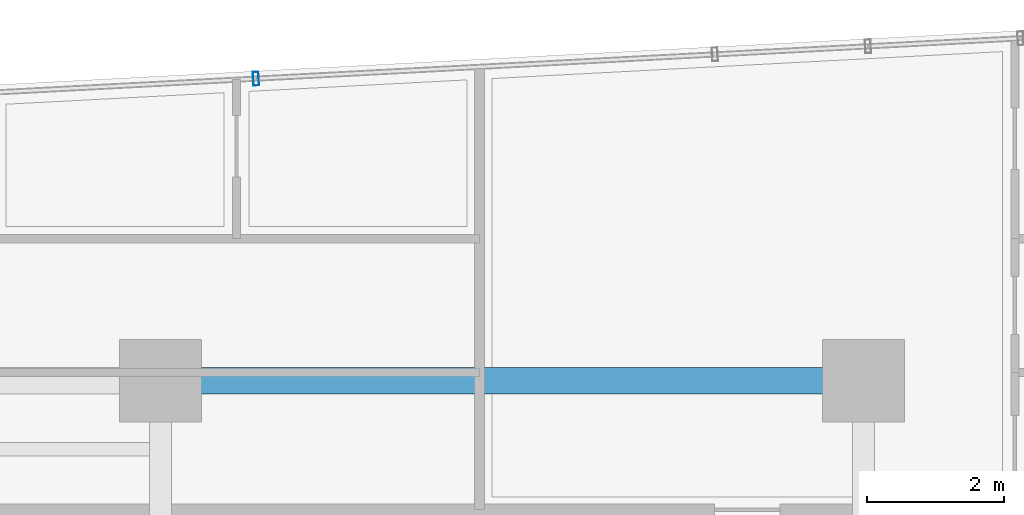
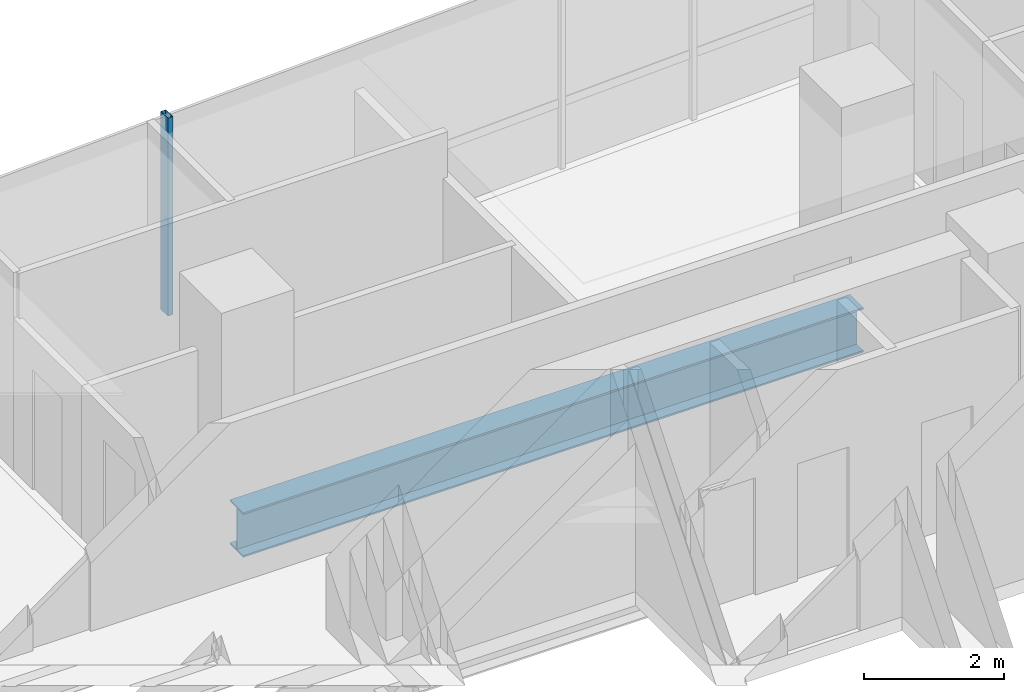
# One storey, part 20 of 34: 1 beam, 1 member, 1 element without a shape of its own.
"""IFC4 building model written with IfcOpenShell, lengths in metres."""

from ifc_helpers import new_model, si_unit, direction, frame, origin, origin_2d, place, context, subcontext, project, spatial, hollow_rectangle, i_section, extrude, source, transform, mapped, material, material_profile, profile_set, type_object, element, aggregate, save


model = new_model("IFC4")

# Units and contexts
model_context = context("Model", 3, precision=1e-05, world=origin(), true_north=direction((0.0, 1.0)))
body_context = subcontext(model_context, "Body", "Model", "MODEL_VIEW")
ifc_project = project(units=[si_unit("LENGTHUNIT", "METRE"), si_unit("AREAUNIT", "SQUARE_METRE"), si_unit("VOLUMEUNIT", "CUBIC_METRE"), si_unit("PLANEANGLEUNIT", "RADIAN"), si_unit("MASSUNIT", "GRAM", prefix="KILO")], contexts=[model_context])

# Site, building, storey
site_placement = place(None, origin())
site = spatial("IfcSite", under=ifc_project, at=site_placement, CompositionType="ELEMENT")
building_placement = place(site_placement, origin())
building = spatial("IfcBuilding", under=site, at=building_placement, Name="Valdorenza Pilgrim Sanctuary Tower", CompositionType="ELEMENT")
storey_placement = place(building_placement, frame((0.0, 0.0, 161.199951171875)))
storey = spatial("IfcBuildingStorey", under=building, at=storey_placement, Name="L41", CompositionType="ELEMENT", Elevation=161.199951171875)

# Beam
ifc_material_1 = material(Name="Steel ASTM A992 Grade 50", Category="steel")
ifc_material_profile_1 = material_profile(ifc_material_1, i_section(OverallWidth=0.382080078125, OverallDepth=0.779052734375, WebThickness=0.01806640625, FlangeThickness=0.030029296875, at=origin_2d()), Name="W30X191")
ifc_profile_set_1 = profile_set([ifc_material_profile_1], Name="Steel ASTM A992 Grade 50")
beam_type = type_object("IfcBeamType", Name="STR-BM-GRD-W30", PredefinedType="BEAM", material=ifc_profile_set_1)
shared_shape_1 = source(origin(), body_context, "Body", "SweptSolid", [
    extrude(i_section(OverallWidth=0.382080078125, OverallDepth=0.779052734375, WebThickness=0.01806640625, FlangeThickness=0.030029296875, at=origin_2d()), origin(), (0.0, 0.0, 1.0), 10.25),
])
beam_placement = place(storey_placement, frame((-22.64990234375, 14.800048828125, -0.62939453125), z_axis=(1.0, 0.0, 0.0), x_axis=(0.0, 1.0, 0.0)))
element("IfcBeam", 1, at=beam_placement, inside=storey, type_object=beam_type, Name="L41 Floor Girder CA-XC-N2", PredefinedType="BEAM", context=body_context, shape_type="MappedRepresentation", body=[
    mapped(shared_shape_1, transform((0.0, 0.0, 0.0), x_axis=(1.0, 0.0, 0.0), y_axis=(0.0, 1.0, 0.0), z_axis=(0.0, 0.0, 1.0), scale=1.0)),
])

# Curtain wall, member
ifc_material_2 = material(Name="Curtain-wall IGU glazing", Category="glass")
curtain_wall_type = type_object("IfcCurtainWallType", Name="CW-SYS-02", PredefinedType="NOTDEFINED", material=ifc_material_2)
curtain_wall_placement = place(storey_placement, origin())
curtain_wall = element("IfcCurtainWall", 2, at=curtain_wall_placement, inside=storey, type_object=curtain_wall_type, Name="L41 Curtain Wall CW-L41-1-6", PredefinedType="NOTDEFINED")
ifc_material_3 = material(Name="Anodised aluminium AW-6060", Category="aluminium")
ifc_material_profile_2 = material_profile(ifc_material_3, hollow_rectangle(XDim=0.0849609375, YDim=0.199951171875, WallThickness=0.0048828125, at=origin_2d()), Name="ALU-M 200x85x5")
ifc_profile_set_2 = profile_set([ifc_material_profile_2], Name="Anodised aluminium AW-6060")
member_type = type_object("IfcMemberType", Name="CW-MUL-02", PredefinedType="MULLION", material=ifc_profile_set_2)
shared_shape_2 = source(origin(), body_context, "Body", "SweptSolid", [
    extrude(hollow_rectangle(XDim=0.0849609375, YDim=0.199951171875, WallThickness=0.0048828125, at=origin_2d()), origin(), (0.0, 0.0, 1.0), 3.4599609375),
])
member_placement = place(storey_placement, frame((-21.259765625, 19.204345703125, 0.0), z_axis=(0.0, 0.0, 1.0), x_axis=(0.998607524712, 0.052754256601, 0.0)))
member = element("IfcMember", 3, at=member_placement, type_object=member_type, Name="CW-L41-1-6 Mullion 2", PredefinedType="MULLION", context=body_context, shape_type="MappedRepresentation", body=[
    mapped(shared_shape_2, transform((0.0, 0.0, 0.0), x_axis=(1.0, 0.0, 0.0), y_axis=(0.0, 1.0, 0.0), z_axis=(0.0, 0.0, 1.0), scale=1.0)),
])
aggregate(curtain_wall, [member])

save(model, "model.ifc")
